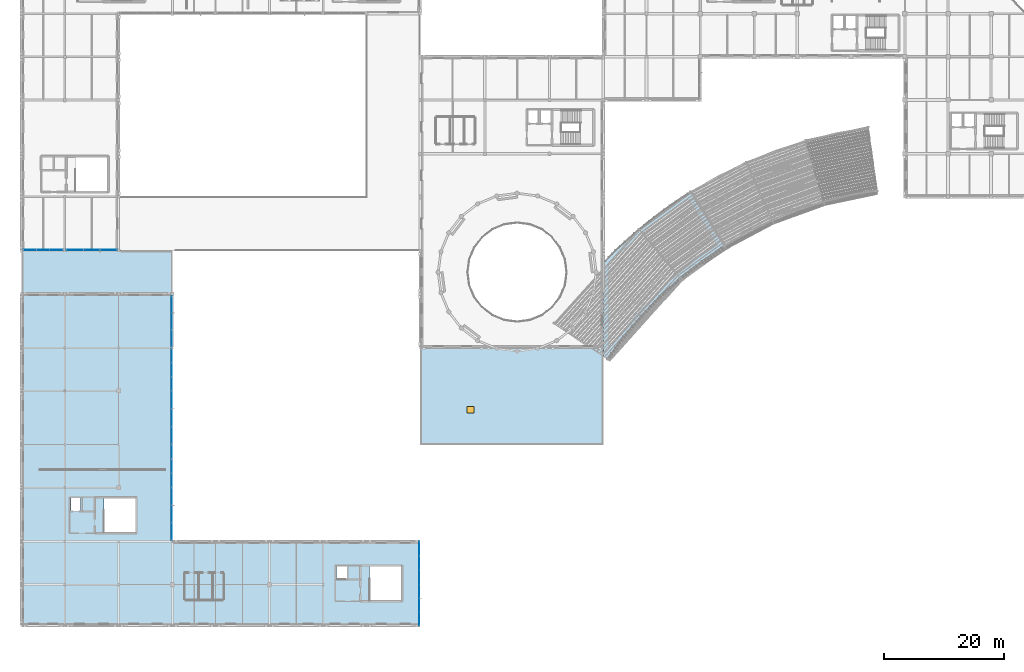
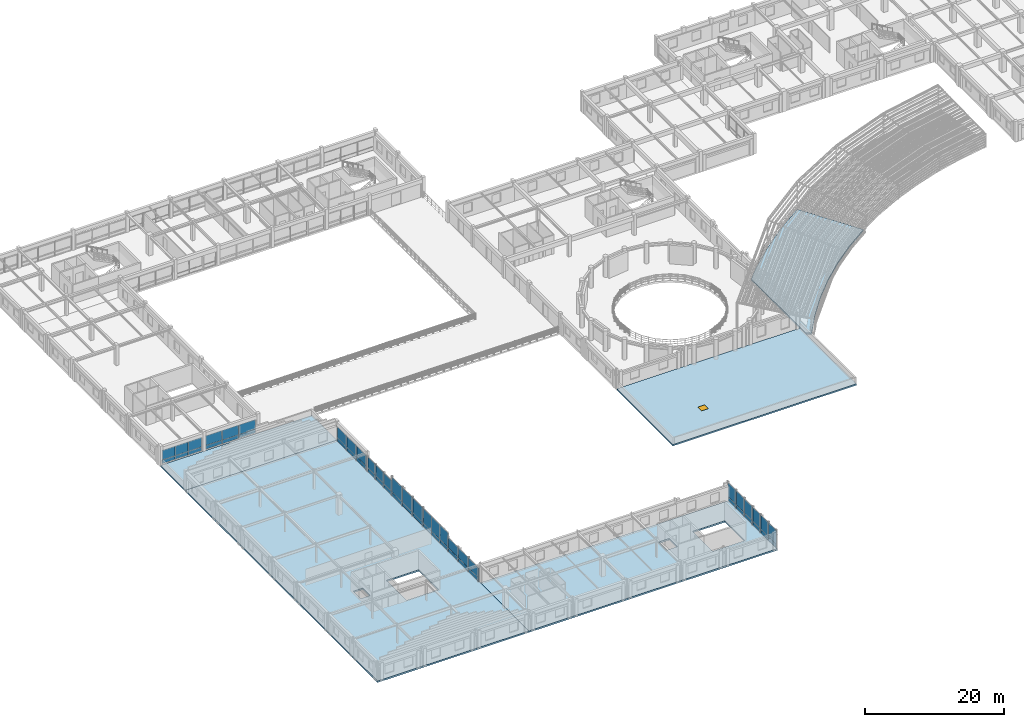
# One storey, part 40 of 74: 54 plates, 5 slabs, 1 window, 1 opening, 9 elements without a shape of their own.
"""IFC4 building model written with IfcOpenShell, lengths in metres."""

from ifc_helpers import new_model, si_unit, direction, frame, frame_2d, origin, origin_2d, place, context, subcontext, project, spatial, polyline, rectangle, outline, extrude, material, layer, layer_set, type_object, element, fill, aggregate, save


model = new_model("IFC4")

# Units and contexts
model_context = context("Model", 3, precision=1e-05, world=origin(), true_north=direction((0.0, 1.0)))
body_context = subcontext(model_context, "Body", "Model", "MODEL_VIEW")
ifc_project = project(units=[si_unit("LENGTHUNIT", "METRE"), si_unit("AREAUNIT", "SQUARE_METRE"), si_unit("VOLUMEUNIT", "CUBIC_METRE"), si_unit("PLANEANGLEUNIT", "RADIAN"), si_unit("MASSUNIT", "GRAM", prefix="KILO")], contexts=[model_context])

# Site, building, storey
site_placement = place(None, origin())
site = spatial("IfcSite", under=ifc_project, at=site_placement, CompositionType="ELEMENT")
building_placement = place(site_placement, origin())
building = spatial("IfcBuilding", under=site, at=building_placement, Name="Clarverna Civic Hall", CompositionType="ELEMENT")
storey_placement = place(building_placement, frame((0.0, 0.0, 13.199951171875)))
storey = spatial("IfcBuildingStorey", under=building, at=storey_placement, Name="L03", CompositionType="ELEMENT", Elevation=13.199951171875)

# Curtain wall, plates
ifc_material_1 = material(Name="Anodised Bronze Architectural Aluminium", Category="aluminium")
curtain_wall_type = type_object("IfcCurtainWallType", Name="CW-05", PredefinedType="USERDEFINED", material=ifc_material_1)
curtain_wall_1_placement = place(storey_placement, origin())
curtain_wall_1 = element("IfcCurtainWall", 1, at=curtain_wall_1_placement, inside=storey, type_object=curtain_wall_type, Name="CW-05-014", ObjectType="UNITISED CURTAIN WALL", PredefinedType="USERDEFINED")
ifc_material_2 = material(Name="Solar-Control Argon Low-E Double Glazing", Category="glass")
ifc_layer_1 = layer(ifc_material_2, 0.031982421875)
ifc_layer_set_1 = layer_set([ifc_layer_1], Name="Solar-Control Argon Low-E Double Glazing")
plate_type_1 = type_object("IfcPlateType", Name="CWP-01", PredefinedType="CURTAIN_PANEL", material=ifc_layer_set_1)
plate_1_placement = place(storey_placement, frame((15.862060546875, 62.739990234375, 0.76513671875), z_axis=(0.0, 0.0, 1.0), x_axis=(-1.0, 0.0, 0.0)))
plate_1 = element("IfcPlate", 2, at=plate_1_placement, type_object=plate_type_1, Name="CWP-01-457", PredefinedType="CURTAIN_PANEL", context=body_context, shape_type="SweptSolid", body=[
    extrude(rectangle(XDim=2.754638671875, YDim=0.031982421875, at=frame_2d((1.37744140625, 0.0))), origin(), (0.0, 0.0, 1.0), 1.704833984375),
])
plate_2_placement = place(storey_placement, frame((13.077392578125, 62.739990234375, 0.76513671875), z_axis=(0.0, 0.0, 1.0), x_axis=(-1.0, 0.0, 0.0)))
plate_2 = element("IfcPlate", 3, at=plate_2_placement, type_object=plate_type_1, Name="CWP-01-458", PredefinedType="CURTAIN_PANEL", context=body_context, shape_type="SweptSolid", body=[
    extrude(rectangle(XDim=2.754638671875, YDim=0.031982421875, at=frame_2d((1.37744140625, 0.0))), origin(), (0.0, 0.0, 1.0), 1.704833984375),
])
plate_3_placement = place(storey_placement, frame((10.292724609375, 62.739990234375, 0.76513671875), z_axis=(0.0, 0.0, 1.0), x_axis=(-1.0, 0.0, 0.0)))
plate_3 = element("IfcPlate", 4, at=plate_3_placement, type_object=plate_type_1, Name="CWP-01-459", PredefinedType="CURTAIN_PANEL", context=body_context, shape_type="SweptSolid", body=[
    extrude(rectangle(XDim=2.754638671875, YDim=0.031982421875, at=frame_2d((1.37744140625, 0.0))), origin(), (0.0, 0.0, 1.0), 1.704833984375),
])

curtain_wall_2_placement = place(storey_placement, origin())
curtain_wall_2 = element("IfcCurtainWall", 5, at=curtain_wall_2_placement, inside=storey, type_object=curtain_wall_type, Name="CW-05-015", ObjectType="UNITISED CURTAIN WALL", PredefinedType="USERDEFINED")
plate_4_placement = place(storey_placement, frame((6.862060546875, 62.739990234375, 0.76513671875), z_axis=(0.0, 0.0, 1.0), x_axis=(-1.0, 0.0, 0.0)))
plate_4 = element("IfcPlate", 6, at=plate_4_placement, type_object=plate_type_1, Name="CWP-01-460", PredefinedType="CURTAIN_PANEL", context=body_context, shape_type="SweptSolid", body=[
    extrude(rectangle(XDim=2.1630859375, YDim=0.031982421875, at=frame_2d((1.08154296875, 0.0))), origin(), (0.0, 0.0, 1.0), 1.704833984375),
])
plate_5_placement = place(storey_placement, frame((4.6689453125, 62.739990234375, 0.76513671875), z_axis=(0.0, 0.0, 1.0), x_axis=(-1.0, 0.0, 0.0)))
plate_5 = element("IfcPlate", 7, at=plate_5_placement, type_object=plate_type_1, Name="CWP-01-461", PredefinedType="CURTAIN_PANEL", context=body_context, shape_type="SweptSolid", body=[
    extrude(rectangle(XDim=2.162841796875, YDim=0.031982421875, at=frame_2d((1.08154296875, 0.0))), origin(), (0.0, 0.0, 1.0), 1.704833984375),
])
plate_6_placement = place(storey_placement, frame((2.47607421875, 62.739990234375, 0.76513671875), z_axis=(0.0, 0.0, 1.0), x_axis=(-1.0, 0.0, 0.0)))
plate_6 = element("IfcPlate", 8, at=plate_6_placement, type_object=plate_type_1, Name="CWP-01-462", PredefinedType="CURTAIN_PANEL", context=body_context, shape_type="SweptSolid", body=[
    extrude(rectangle(XDim=2.1630859375, YDim=0.031982421875, at=frame_2d((1.08154296875, 0.0))), origin(), (0.0, 0.0, 1.0), 1.704833984375),
])

curtain_wall_3_placement = place(storey_placement, origin())
curtain_wall_3 = element("IfcCurtainWall", 9, at=curtain_wall_3_placement, inside=storey, type_object=curtain_wall_type, Name="CW-05-016", ObjectType="UNITISED CURTAIN WALL", PredefinedType="USERDEFINED")
plate_7_placement = place(storey_placement, frame((25.06005859375, 54.987060546875, 0.76513671875), z_axis=(0.0, 0.0, 1.0), x_axis=(0.0, -1.0, 0.0)))
plate_7 = element("IfcPlate", 10, at=plate_7_placement, type_object=plate_type_1, Name="CWP-01-463", PredefinedType="CURTAIN_PANEL", context=body_context, shape_type="SweptSolid", body=[
    extrude(rectangle(XDim=2.769775390625, YDim=0.031982421875, at=frame_2d((1.384765625, 0.0))), origin(), (0.0, 0.0, 1.0), 1.885009765625),
])
plate_8_placement = place(storey_placement, frame((25.06005859375, 52.187255859375, 0.76513671875), z_axis=(0.0, 0.0, 1.0), x_axis=(0.0, -1.0, 0.0)))
plate_8 = element("IfcPlate", 11, at=plate_8_placement, type_object=plate_type_1, Name="CWP-01-464", PredefinedType="CURTAIN_PANEL", context=body_context, shape_type="SweptSolid", body=[
    extrude(rectangle(XDim=2.76953125, YDim=0.031982421875, at=frame_2d((1.384765625, 0.0))), origin(), (0.0, 0.0, 1.0), 1.885009765625),
])
plate_9_placement = place(storey_placement, frame((25.06005859375, 49.3876953125, 0.76513671875), z_axis=(0.0, 0.0, 1.0), x_axis=(0.0, -1.0, 0.0)))
plate_9 = element("IfcPlate", 12, at=plate_9_placement, type_object=plate_type_1, Name="CWP-01-465", PredefinedType="CURTAIN_PANEL", context=body_context, shape_type="SweptSolid", body=[
    extrude(rectangle(XDim=2.769775390625, YDim=0.031982421875, at=frame_2d((1.384765625, 0.0))), origin(), (0.0, 0.0, 1.0), 1.885009765625),
])

curtain_wall_4_placement = place(storey_placement, origin())
curtain_wall_4 = element("IfcCurtainWall", 13, at=curtain_wall_4_placement, inside=storey, type_object=curtain_wall_type, Name="CW-05-017", ObjectType="UNITISED CURTAIN WALL", PredefinedType="USERDEFINED")
plate_10_placement = place(storey_placement, frame((25.06005859375, 46.181884765625, 0.76513671875), z_axis=(0.0, 0.0, 1.0), x_axis=(0.0, -1.0, 0.0)))
plate_10 = element("IfcPlate", 14, at=plate_10_placement, type_object=plate_type_1, Name="CWP-01-466", PredefinedType="CURTAIN_PANEL", context=body_context, shape_type="SweptSolid", body=[
    extrude(rectangle(XDim=2.291259765625, YDim=0.031982421875, at=frame_2d((1.1455078125, 0.0))), origin(), (0.0, 0.0, 1.0), 1.885009765625),
])
plate_11_placement = place(storey_placement, frame((25.06005859375, 43.860595703125, 0.76513671875), z_axis=(0.0, 0.0, 1.0), x_axis=(0.0, -1.0, 0.0)))
plate_11 = element("IfcPlate", 15, at=plate_11_placement, type_object=plate_type_1, Name="CWP-01-467", PredefinedType="CURTAIN_PANEL", context=body_context, shape_type="SweptSolid", body=[
    extrude(rectangle(XDim=2.291259765625, YDim=0.031982421875, at=frame_2d((1.1455078125, 0.0))), origin(), (0.0, 0.0, 1.0), 1.885009765625),
])
plate_12_placement = place(storey_placement, frame((25.06005859375, 41.539306640625, 0.76513671875), z_axis=(0.0, 0.0, 1.0), x_axis=(0.0, -1.0, 0.0)))
plate_12 = element("IfcPlate", 16, at=plate_12_placement, type_object=plate_type_1, Name="CWP-01-468", PredefinedType="CURTAIN_PANEL", context=body_context, shape_type="SweptSolid", body=[
    extrude(rectangle(XDim=2.291259765625, YDim=0.031982421875, at=frame_2d((1.1455078125, 0.0))), origin(), (0.0, 0.0, 1.0), 1.885009765625),
])

curtain_wall_5_placement = place(storey_placement, origin())
curtain_wall_5 = element("IfcCurtainWall", 17, at=curtain_wall_5_placement, inside=storey, type_object=curtain_wall_type, Name="CW-05-018", ObjectType="UNITISED CURTAIN WALL", PredefinedType="USERDEFINED")
plate_13_placement = place(storey_placement, frame((25.06005859375, 39.152099609375, 0.76513671875), z_axis=(0.0, 0.0, 1.0), x_axis=(0.0, -1.0, 0.0)))
plate_13 = element("IfcPlate", 18, at=plate_13_placement, type_object=plate_type_1, Name="CWP-01-469", PredefinedType="CURTAIN_PANEL", context=body_context, shape_type="SweptSolid", body=[
    extrude(rectangle(XDim=2.947998046875, YDim=0.031982421875, at=frame_2d((1.47412109375, 0.0))), origin(), (0.0, 0.0, 1.0), 2.56494140625),
])
plate_14_placement = place(storey_placement, frame((25.06005859375, 36.174072265625, 0.76513671875), z_axis=(0.0, 0.0, 1.0), x_axis=(0.0, -1.0, 0.0)))
plate_14 = element("IfcPlate", 19, at=plate_14_placement, type_object=plate_type_1, Name="CWP-01-470", PredefinedType="CURTAIN_PANEL", context=body_context, shape_type="SweptSolid", body=[
    extrude(rectangle(XDim=2.947998046875, YDim=0.031982421875, at=frame_2d((1.47412109375, 0.0))), origin(), (0.0, 0.0, 1.0), 2.56494140625),
])
plate_15_placement = place(storey_placement, frame((25.06005859375, 33.196044921875, 0.76513671875), z_axis=(0.0, 0.0, 1.0), x_axis=(0.0, -1.0, 0.0)))
plate_15 = element("IfcPlate", 20, at=plate_15_placement, type_object=plate_type_1, Name="CWP-01-471", PredefinedType="CURTAIN_PANEL", context=body_context, shape_type="SweptSolid", body=[
    extrude(rectangle(XDim=2.947998046875, YDim=0.031982421875, at=frame_2d((1.47412109375, 0.0))), origin(), (0.0, 0.0, 1.0), 2.56494140625),
])

curtain_wall_6_placement = place(storey_placement, origin())
curtain_wall_6 = element("IfcCurtainWall", 21, at=curtain_wall_6_placement, inside=storey, type_object=curtain_wall_type, Name="CW-05-019", ObjectType="UNITISED CURTAIN WALL", PredefinedType="USERDEFINED")
plate_16_placement = place(storey_placement, frame((25.06005859375, 30.152099609375, 0.76513671875), z_axis=(0.0, 0.0, 1.0), x_axis=(0.0, -1.0, 0.0)))
plate_16 = element("IfcPlate", 22, at=plate_16_placement, type_object=plate_type_1, Name="CWP-01-472", PredefinedType="CURTAIN_PANEL", context=body_context, shape_type="SweptSolid", body=[
    extrude(rectangle(XDim=2.34814453125, YDim=0.031982421875, at=frame_2d((1.174072265625, 0.0))), origin(), (0.0, 0.0, 1.0), 2.56494140625),
])
plate_17_placement = place(storey_placement, frame((25.06005859375, 27.77392578125, 0.76513671875), z_axis=(0.0, 0.0, 1.0), x_axis=(0.0, -1.0, 0.0)))
plate_17 = element("IfcPlate", 23, at=plate_17_placement, type_object=plate_type_1, Name="CWP-01-473", PredefinedType="CURTAIN_PANEL", context=body_context, shape_type="SweptSolid", body=[
    extrude(rectangle(XDim=2.347900390625, YDim=0.031982421875, at=frame_2d((1.173828125, 0.0))), origin(), (0.0, 0.0, 1.0), 2.56494140625),
])
plate_18_placement = place(storey_placement, frame((25.06005859375, 25.39599609375, 0.76513671875), z_axis=(0.0, 0.0, 1.0), x_axis=(0.0, -1.0, 0.0)))
plate_18 = element("IfcPlate", 24, at=plate_18_placement, type_object=plate_type_1, Name="CWP-01-474", PredefinedType="CURTAIN_PANEL", context=body_context, shape_type="SweptSolid", body=[
    extrude(rectangle(XDim=2.347900390625, YDim=0.031982421875, at=frame_2d((1.173828125, 0.0))), origin(), (0.0, 0.0, 1.0), 2.56494140625),
])

curtain_wall_7_placement = place(storey_placement, origin())
curtain_wall_7 = element("IfcCurtainWall", 25, at=curtain_wall_7_placement, inside=storey, type_object=curtain_wall_type, Name="CW-05-020", ObjectType="UNITISED CURTAIN WALL", PredefinedType="USERDEFINED")
plate_19_placement = place(storey_placement, frame((25.06005859375, 22.951904296875, 0.76513671875), z_axis=(0.0, 0.0, 1.0), x_axis=(0.0, -1.0, 0.0)))
plate_19 = element("IfcPlate", 26, at=plate_19_placement, type_object=plate_type_1, Name="CWP-01-475", PredefinedType="CURTAIN_PANEL", context=body_context, shape_type="SweptSolid", body=[
    extrude(rectangle(XDim=2.887939453125, YDim=0.031982421875, at=frame_2d((1.44384765625, 0.0))), origin(), (0.0, 0.0, 1.0), 1.744873046875),
])
plate_20_placement = place(storey_placement, frame((25.06005859375, 20.033935546875, 0.76513671875), z_axis=(0.0, 0.0, 1.0), x_axis=(0.0, -1.0, 0.0)))
plate_20 = element("IfcPlate", 27, at=plate_20_placement, type_object=plate_type_1, Name="CWP-01-476", PredefinedType="CURTAIN_PANEL", context=body_context, shape_type="SweptSolid", body=[
    extrude(rectangle(XDim=2.887939453125, YDim=0.031982421875, at=frame_2d((1.44384765625, 0.0))), origin(), (0.0, 0.0, 1.0), 1.744873046875),
])
plate_21_placement = place(storey_placement, frame((25.06005859375, 17.115966796875, 0.76513671875), z_axis=(0.0, 0.0, 1.0), x_axis=(0.0, -1.0, 0.0)))
plate_21 = element("IfcPlate", 28, at=plate_21_placement, type_object=plate_type_1, Name="CWP-01-477", PredefinedType="CURTAIN_PANEL", context=body_context, shape_type="SweptSolid", body=[
    extrude(rectangle(XDim=2.887939453125, YDim=0.031982421875, at=frame_2d((1.44384765625, 0.0))), origin(), (0.0, 0.0, 1.0), 1.744873046875),
])

curtain_wall_8_placement = place(storey_placement, origin())
curtain_wall_8 = element("IfcCurtainWall", 29, at=curtain_wall_8_placement, inside=storey, type_object=curtain_wall_type, Name="CW-05-021", ObjectType="UNITISED CURTAIN WALL", PredefinedType="USERDEFINED")
plate_22_placement = place(storey_placement, frame((66.43505859375, 13.951904296875, 0.76513671875), z_axis=(0.0, 0.0, 1.0), x_axis=(0.0, -1.0, 0.0)))
plate_22 = element("IfcPlate", 30, at=plate_22_placement, type_object=plate_type_1, Name="CWP-01-478", PredefinedType="CURTAIN_PANEL", context=body_context, shape_type="SweptSolid", body=[
    extrude(rectangle(XDim=2.347900390625, YDim=0.031982421875, at=frame_2d((1.173828125, 0.0))), origin(), (0.0, 0.0, 1.0), 2.46484375),
])
plate_23_placement = place(storey_placement, frame((66.43505859375, 11.573974609375, 0.76513671875), z_axis=(0.0, 0.0, 1.0), x_axis=(0.0, -1.0, 0.0)))
plate_23 = element("IfcPlate", 31, at=plate_23_placement, type_object=plate_type_1, Name="CWP-01-479", PredefinedType="CURTAIN_PANEL", context=body_context, shape_type="SweptSolid", body=[
    extrude(rectangle(XDim=2.347900390625, YDim=0.031982421875, at=frame_2d((1.173828125, 0.0))), origin(), (0.0, 0.0, 1.0), 2.46484375),
])
plate_24_placement = place(storey_placement, frame((66.43505859375, 9.196044921875, 0.76513671875), z_axis=(0.0, 0.0, 1.0), x_axis=(0.0, -1.0, 0.0)))
plate_24 = element("IfcPlate", 32, at=plate_24_placement, type_object=plate_type_1, Name="CWP-01-480", PredefinedType="CURTAIN_PANEL", context=body_context, shape_type="SweptSolid", body=[
    extrude(rectangle(XDim=2.34814453125, YDim=0.031982421875, at=frame_2d((1.174072265625, 0.0))), origin(), (0.0, 0.0, 1.0), 2.46484375),
])

curtain_wall_9_placement = place(storey_placement, origin())
curtain_wall_9 = element("IfcCurtainWall", 33, at=curtain_wall_9_placement, inside=storey, type_object=curtain_wall_type, Name="CW-05-022", ObjectType="UNITISED CURTAIN WALL", PredefinedType="USERDEFINED")
plate_25_placement = place(storey_placement, frame((66.43505859375, 6.751953125, 0.76513671875), z_axis=(0.0, 0.0, 1.0), x_axis=(0.0, -1.0, 0.0)))
plate_25 = element("IfcPlate", 34, at=plate_25_placement, type_object=plate_type_1, Name="CWP-01-481", PredefinedType="CURTAIN_PANEL", context=body_context, shape_type="SweptSolid", body=[
    extrude(rectangle(XDim=2.214599609375, YDim=0.031982421875, at=frame_2d((1.107421875, 0.0))), origin(), (0.0, 0.0, 1.0), 2.46484375),
])
plate_26_placement = place(storey_placement, frame((66.43505859375, 4.50732421875, 0.76513671875), z_axis=(0.0, 0.0, 1.0), x_axis=(0.0, -1.0, 0.0)))
plate_26 = element("IfcPlate", 35, at=plate_26_placement, type_object=plate_type_1, Name="CWP-01-482", PredefinedType="CURTAIN_PANEL", context=body_context, shape_type="SweptSolid", body=[
    extrude(rectangle(XDim=2.214599609375, YDim=0.031982421875, at=frame_2d((1.107421875, 0.0))), origin(), (0.0, 0.0, 1.0), 2.46484375),
])
plate_27_placement = place(storey_placement, frame((66.43505859375, 2.2626953125, 0.76513671875), z_axis=(0.0, 0.0, 1.0), x_axis=(0.0, -1.0, 0.0)))
plate_27 = element("IfcPlate", 36, at=plate_27_placement, type_object=plate_type_1, Name="CWP-01-483", PredefinedType="CURTAIN_PANEL", context=body_context, shape_type="SweptSolid", body=[
    extrude(rectangle(XDim=2.214599609375, YDim=0.031982421875, at=frame_2d((1.107421875, 0.0))), origin(), (0.0, 0.0, 1.0), 2.46484375),
])

# Plate
ifc_material_3 = material(Name="Insulated Anodised Bronze Spandrel Panel", Category="aluminium")
ifc_layer_2 = layer(ifc_material_3, 0.048095703125)
ifc_layer_set_2 = layer_set([ifc_layer_2], Name="Insulated Anodised Bronze Spandrel Panel")
plate_type_2 = type_object("IfcPlateType", Name="CWP-03", PredefinedType="CURTAIN_PANEL", material=ifc_layer_set_2)
plate_28_placement = place(storey_placement, frame((15.862060546875, 62.739990234375, 0.110107421875), z_axis=(0.0, 0.0, 1.0), x_axis=(-1.0, 0.0, 0.0)))
plate_28 = element("IfcPlate", 37, at=plate_28_placement, type_object=plate_type_2, Name="CWP-03-459", PredefinedType="CURTAIN_PANEL", context=body_context, shape_type="SweptSolid", body=[
    extrude(rectangle(XDim=2.754638671875, YDim=0.048095703125, at=frame_2d((1.37744140625, 0.0))), origin(), (0.0, 0.0, 1.0), 0.625),
])

plate_29_placement = place(storey_placement, frame((13.077392578125, 62.739990234375, 0.110107421875), z_axis=(0.0, 0.0, 1.0), x_axis=(-1.0, 0.0, 0.0)))
plate_29 = element("IfcPlate", 38, at=plate_29_placement, type_object=plate_type_2, Name="CWP-03-460", PredefinedType="CURTAIN_PANEL", context=body_context, shape_type="SweptSolid", body=[
    extrude(rectangle(XDim=2.754638671875, YDim=0.048095703125, at=frame_2d((1.37744140625, 0.0))), origin(), (0.0, 0.0, 1.0), 0.625),
])

plate_30_placement = place(storey_placement, frame((10.292724609375, 62.739990234375, 0.110107421875), z_axis=(0.0, 0.0, 1.0), x_axis=(-1.0, 0.0, 0.0)))
plate_30 = element("IfcPlate", 39, at=plate_30_placement, type_object=plate_type_2, Name="CWP-03-461", PredefinedType="CURTAIN_PANEL", context=body_context, shape_type="SweptSolid", body=[
    extrude(rectangle(XDim=2.754638671875, YDim=0.048095703125, at=frame_2d((1.37744140625, 0.0))), origin(), (0.0, 0.0, 1.0), 0.625),
])

aggregate(curtain_wall_1, [plate_28, plate_1, plate_29, plate_2, plate_30, plate_3])

plate_31_placement = place(storey_placement, frame((6.862060546875, 62.739990234375, 0.110107421875), z_axis=(0.0, 0.0, 1.0), x_axis=(-1.0, 0.0, 0.0)))
plate_31 = element("IfcPlate", 40, at=plate_31_placement, type_object=plate_type_2, Name="CWP-03-462", PredefinedType="CURTAIN_PANEL", context=body_context, shape_type="SweptSolid", body=[
    extrude(rectangle(XDim=2.1630859375, YDim=0.048095703125, at=frame_2d((1.08154296875, 0.0))), origin(), (0.0, 0.0, 1.0), 0.625),
])

plate_32_placement = place(storey_placement, frame((4.6689453125, 62.739990234375, 0.110107421875), z_axis=(0.0, 0.0, 1.0), x_axis=(-1.0, 0.0, 0.0)))
plate_32 = element("IfcPlate", 41, at=plate_32_placement, type_object=plate_type_2, Name="CWP-03-463", PredefinedType="CURTAIN_PANEL", context=body_context, shape_type="SweptSolid", body=[
    extrude(rectangle(XDim=2.162841796875, YDim=0.048095703125, at=frame_2d((1.08154296875, 0.0))), origin(), (0.0, 0.0, 1.0), 0.625),
])

plate_33_placement = place(storey_placement, frame((2.47607421875, 62.739990234375, 0.110107421875), z_axis=(0.0, 0.0, 1.0), x_axis=(-1.0, 0.0, 0.0)))
plate_33 = element("IfcPlate", 42, at=plate_33_placement, type_object=plate_type_2, Name="CWP-03-464", PredefinedType="CURTAIN_PANEL", context=body_context, shape_type="SweptSolid", body=[
    extrude(rectangle(XDim=2.1630859375, YDim=0.048095703125, at=frame_2d((1.08154296875, 0.0))), origin(), (0.0, 0.0, 1.0), 0.625),
])

aggregate(curtain_wall_2, [plate_31, plate_4, plate_32, plate_5, plate_33, plate_6])

plate_34_placement = place(storey_placement, frame((25.06005859375, 54.987060546875, 0.110107421875), z_axis=(0.0, 0.0, 1.0), x_axis=(0.0, -1.0, 0.0)))
plate_34 = element("IfcPlate", 43, at=plate_34_placement, type_object=plate_type_2, Name="CWP-03-465", PredefinedType="CURTAIN_PANEL", context=body_context, shape_type="SweptSolid", body=[
    extrude(rectangle(XDim=2.769775390625, YDim=0.048095703125, at=frame_2d((1.384765625, 0.0))), origin(), (0.0, 0.0, 1.0), 0.625),
])

plate_35_placement = place(storey_placement, frame((25.06005859375, 52.187255859375, 0.110107421875), z_axis=(0.0, 0.0, 1.0), x_axis=(0.0, -1.0, 0.0)))
plate_35 = element("IfcPlate", 44, at=plate_35_placement, type_object=plate_type_2, Name="CWP-03-466", PredefinedType="CURTAIN_PANEL", context=body_context, shape_type="SweptSolid", body=[
    extrude(rectangle(XDim=2.76953125, YDim=0.048095703125, at=frame_2d((1.384765625, 0.0))), origin(), (0.0, 0.0, 1.0), 0.625),
])

plate_36_placement = place(storey_placement, frame((25.06005859375, 49.3876953125, 0.110107421875), z_axis=(0.0, 0.0, 1.0), x_axis=(0.0, -1.0, 0.0)))
plate_36 = element("IfcPlate", 45, at=plate_36_placement, type_object=plate_type_2, Name="CWP-03-467", PredefinedType="CURTAIN_PANEL", context=body_context, shape_type="SweptSolid", body=[
    extrude(rectangle(XDim=2.769775390625, YDim=0.048095703125, at=frame_2d((1.384765625, 0.0))), origin(), (0.0, 0.0, 1.0), 0.625),
])

aggregate(curtain_wall_3, [plate_34, plate_7, plate_35, plate_8, plate_36, plate_9])

plate_37_placement = place(storey_placement, frame((25.06005859375, 46.181884765625, 0.110107421875), z_axis=(0.0, 0.0, 1.0), x_axis=(0.0, -1.0, 0.0)))
plate_37 = element("IfcPlate", 46, at=plate_37_placement, type_object=plate_type_2, Name="CWP-03-468", PredefinedType="CURTAIN_PANEL", context=body_context, shape_type="SweptSolid", body=[
    extrude(rectangle(XDim=2.291259765625, YDim=0.048095703125, at=frame_2d((1.1455078125, 0.0))), origin(), (0.0, 0.0, 1.0), 0.625),
])

plate_38_placement = place(storey_placement, frame((25.06005859375, 43.860595703125, 0.110107421875), z_axis=(0.0, 0.0, 1.0), x_axis=(0.0, -1.0, 0.0)))
plate_38 = element("IfcPlate", 47, at=plate_38_placement, type_object=plate_type_2, Name="CWP-03-469", PredefinedType="CURTAIN_PANEL", context=body_context, shape_type="SweptSolid", body=[
    extrude(rectangle(XDim=2.291259765625, YDim=0.048095703125, at=frame_2d((1.1455078125, 0.0))), origin(), (0.0, 0.0, 1.0), 0.625),
])

plate_39_placement = place(storey_placement, frame((25.06005859375, 41.539306640625, 0.110107421875), z_axis=(0.0, 0.0, 1.0), x_axis=(0.0, -1.0, 0.0)))
plate_39 = element("IfcPlate", 48, at=plate_39_placement, type_object=plate_type_2, Name="CWP-03-470", PredefinedType="CURTAIN_PANEL", context=body_context, shape_type="SweptSolid", body=[
    extrude(rectangle(XDim=2.291259765625, YDim=0.048095703125, at=frame_2d((1.1455078125, 0.0))), origin(), (0.0, 0.0, 1.0), 0.625),
])

aggregate(curtain_wall_4, [plate_37, plate_10, plate_38, plate_11, plate_39, plate_12])

plate_40_placement = place(storey_placement, frame((25.06005859375, 39.152099609375, 0.110107421875), z_axis=(0.0, 0.0, 1.0), x_axis=(0.0, -1.0, 0.0)))
plate_40 = element("IfcPlate", 49, at=plate_40_placement, type_object=plate_type_2, Name="CWP-03-471", PredefinedType="CURTAIN_PANEL", context=body_context, shape_type="SweptSolid", body=[
    extrude(rectangle(XDim=2.947998046875, YDim=0.048095703125, at=frame_2d((1.47412109375, 0.0))), origin(), (0.0, 0.0, 1.0), 0.625),
])

plate_41_placement = place(storey_placement, frame((25.06005859375, 36.174072265625, 0.110107421875), z_axis=(0.0, 0.0, 1.0), x_axis=(0.0, -1.0, 0.0)))
plate_41 = element("IfcPlate", 50, at=plate_41_placement, type_object=plate_type_2, Name="CWP-03-472", PredefinedType="CURTAIN_PANEL", context=body_context, shape_type="SweptSolid", body=[
    extrude(rectangle(XDim=2.947998046875, YDim=0.048095703125, at=frame_2d((1.47412109375, 0.0))), origin(), (0.0, 0.0, 1.0), 0.625),
])

plate_42_placement = place(storey_placement, frame((25.06005859375, 33.196044921875, 0.110107421875), z_axis=(0.0, 0.0, 1.0), x_axis=(0.0, -1.0, 0.0)))
plate_42 = element("IfcPlate", 51, at=plate_42_placement, type_object=plate_type_2, Name="CWP-03-473", PredefinedType="CURTAIN_PANEL", context=body_context, shape_type="SweptSolid", body=[
    extrude(rectangle(XDim=2.947998046875, YDim=0.048095703125, at=frame_2d((1.47412109375, 0.0))), origin(), (0.0, 0.0, 1.0), 0.625),
])

aggregate(curtain_wall_5, [plate_40, plate_13, plate_41, plate_14, plate_42, plate_15])

plate_43_placement = place(storey_placement, frame((25.06005859375, 30.152099609375, 0.110107421875), z_axis=(0.0, 0.0, 1.0), x_axis=(0.0, -1.0, 0.0)))
plate_43 = element("IfcPlate", 52, at=plate_43_placement, type_object=plate_type_2, Name="CWP-03-474", PredefinedType="CURTAIN_PANEL", context=body_context, shape_type="SweptSolid", body=[
    extrude(rectangle(XDim=2.34814453125, YDim=0.048095703125, at=frame_2d((1.174072265625, 0.0))), origin(), (0.0, 0.0, 1.0), 0.625),
])

plate_44_placement = place(storey_placement, frame((25.06005859375, 27.77392578125, 0.110107421875), z_axis=(0.0, 0.0, 1.0), x_axis=(0.0, -1.0, 0.0)))
plate_44 = element("IfcPlate", 53, at=plate_44_placement, type_object=plate_type_2, Name="CWP-03-475", PredefinedType="CURTAIN_PANEL", context=body_context, shape_type="SweptSolid", body=[
    extrude(rectangle(XDim=2.347900390625, YDim=0.048095703125, at=frame_2d((1.173828125, 0.0))), origin(), (0.0, 0.0, 1.0), 0.625),
])

plate_45_placement = place(storey_placement, frame((25.06005859375, 25.39599609375, 0.110107421875), z_axis=(0.0, 0.0, 1.0), x_axis=(0.0, -1.0, 0.0)))
plate_45 = element("IfcPlate", 54, at=plate_45_placement, type_object=plate_type_2, Name="CWP-03-476", PredefinedType="CURTAIN_PANEL", context=body_context, shape_type="SweptSolid", body=[
    extrude(rectangle(XDim=2.347900390625, YDim=0.048095703125, at=frame_2d((1.173828125, 0.0))), origin(), (0.0, 0.0, 1.0), 0.625),
])

aggregate(curtain_wall_6, [plate_43, plate_16, plate_44, plate_17, plate_45, plate_18])

plate_46_placement = place(storey_placement, frame((25.06005859375, 22.951904296875, 0.110107421875), z_axis=(0.0, 0.0, 1.0), x_axis=(0.0, -1.0, 0.0)))
plate_46 = element("IfcPlate", 55, at=plate_46_placement, type_object=plate_type_2, Name="CWP-03-477", PredefinedType="CURTAIN_PANEL", context=body_context, shape_type="SweptSolid", body=[
    extrude(rectangle(XDim=2.887939453125, YDim=0.048095703125, at=frame_2d((1.44384765625, 0.0))), origin(), (0.0, 0.0, 1.0), 0.625),
])

plate_47_placement = place(storey_placement, frame((25.06005859375, 20.033935546875, 0.110107421875), z_axis=(0.0, 0.0, 1.0), x_axis=(0.0, -1.0, 0.0)))
plate_47 = element("IfcPlate", 56, at=plate_47_placement, type_object=plate_type_2, Name="CWP-03-478", PredefinedType="CURTAIN_PANEL", context=body_context, shape_type="SweptSolid", body=[
    extrude(rectangle(XDim=2.887939453125, YDim=0.048095703125, at=frame_2d((1.44384765625, 0.0))), origin(), (0.0, 0.0, 1.0), 0.625),
])

plate_48_placement = place(storey_placement, frame((25.06005859375, 17.115966796875, 0.110107421875), z_axis=(0.0, 0.0, 1.0), x_axis=(0.0, -1.0, 0.0)))
plate_48 = element("IfcPlate", 57, at=plate_48_placement, type_object=plate_type_2, Name="CWP-03-479", PredefinedType="CURTAIN_PANEL", context=body_context, shape_type="SweptSolid", body=[
    extrude(rectangle(XDim=2.887939453125, YDim=0.048095703125, at=frame_2d((1.44384765625, 0.0))), origin(), (0.0, 0.0, 1.0), 0.625),
])

aggregate(curtain_wall_7, [plate_46, plate_19, plate_47, plate_20, plate_48, plate_21])

plate_49_placement = place(storey_placement, frame((66.43505859375, 13.951904296875, 0.110107421875), z_axis=(0.0, 0.0, 1.0), x_axis=(0.0, -1.0, 0.0)))
plate_49 = element("IfcPlate", 58, at=plate_49_placement, type_object=plate_type_2, Name="CWP-03-480", PredefinedType="CURTAIN_PANEL", context=body_context, shape_type="SweptSolid", body=[
    extrude(rectangle(XDim=2.347900390625, YDim=0.048095703125, at=frame_2d((1.173828125, 0.0))), origin(), (0.0, 0.0, 1.0), 0.625),
])

plate_50_placement = place(storey_placement, frame((66.43505859375, 11.573974609375, 0.110107421875), z_axis=(0.0, 0.0, 1.0), x_axis=(0.0, -1.0, 0.0)))
plate_50 = element("IfcPlate", 59, at=plate_50_placement, type_object=plate_type_2, Name="CWP-03-481", PredefinedType="CURTAIN_PANEL", context=body_context, shape_type="SweptSolid", body=[
    extrude(rectangle(XDim=2.347900390625, YDim=0.048095703125, at=frame_2d((1.173828125, 0.0))), origin(), (0.0, 0.0, 1.0), 0.625),
])

plate_51_placement = place(storey_placement, frame((66.43505859375, 9.196044921875, 0.110107421875), z_axis=(0.0, 0.0, 1.0), x_axis=(0.0, -1.0, 0.0)))
plate_51 = element("IfcPlate", 60, at=plate_51_placement, type_object=plate_type_2, Name="CWP-03-482", PredefinedType="CURTAIN_PANEL", context=body_context, shape_type="SweptSolid", body=[
    extrude(rectangle(XDim=2.34814453125, YDim=0.048095703125, at=frame_2d((1.174072265625, 0.0))), origin(), (0.0, 0.0, 1.0), 0.625),
])

aggregate(curtain_wall_8, [plate_49, plate_22, plate_50, plate_23, plate_51, plate_24])

plate_52_placement = place(storey_placement, frame((66.43505859375, 6.751953125, 0.110107421875), z_axis=(0.0, 0.0, 1.0), x_axis=(0.0, -1.0, 0.0)))
plate_52 = element("IfcPlate", 61, at=plate_52_placement, type_object=plate_type_2, Name="CWP-03-483", PredefinedType="CURTAIN_PANEL", context=body_context, shape_type="SweptSolid", body=[
    extrude(rectangle(XDim=2.214599609375, YDim=0.048095703125, at=frame_2d((1.107421875, 0.0))), origin(), (0.0, 0.0, 1.0), 0.625),
])

plate_53_placement = place(storey_placement, frame((66.43505859375, 4.50732421875, 0.110107421875), z_axis=(0.0, 0.0, 1.0), x_axis=(0.0, -1.0, 0.0)))
plate_53 = element("IfcPlate", 62, at=plate_53_placement, type_object=plate_type_2, Name="CWP-03-484", PredefinedType="CURTAIN_PANEL", context=body_context, shape_type="SweptSolid", body=[
    extrude(rectangle(XDim=2.214599609375, YDim=0.048095703125, at=frame_2d((1.107421875, 0.0))), origin(), (0.0, 0.0, 1.0), 0.625),
])

plate_54_placement = place(storey_placement, frame((66.43505859375, 2.2626953125, 0.110107421875), z_axis=(0.0, 0.0, 1.0), x_axis=(0.0, -1.0, 0.0)))
plate_54 = element("IfcPlate", 63, at=plate_54_placement, type_object=plate_type_2, Name="CWP-03-485", PredefinedType="CURTAIN_PANEL", context=body_context, shape_type="SweptSolid", body=[
    extrude(rectangle(XDim=2.214599609375, YDim=0.048095703125, at=frame_2d((1.107421875, 0.0))), origin(), (0.0, 0.0, 1.0), 0.625),
])

aggregate(curtain_wall_9, [plate_52, plate_25, plate_53, plate_26, plate_54, plate_27])

# Slabs
ifc_material_4 = material(Name="Concrete C30/37", Category="concrete")
ifc_layer_3 = layer(ifc_material_4, 0.280029296875)
ifc_layer_set_3 = layer_set([ifc_layer_3], Name="Concrete C30/37")
slab_type_1 = type_object("IfcSlabType", Name="SL-FL4", PredefinedType="FLOOR", material=ifc_layer_set_3)
slab_1_placement = place(storey_placement, frame((0.0, 0.0, -0.280029296875)))
element("IfcSlab", 64, at=slab_1_placement, inside=storey, type_object=slab_type_1, Name="SL-FL4-020", PredefinedType="FLOOR", context=body_context, shape_type="SweptSolid", body=[
    extrude(outline(polyline([(0.0, 55.39990234375), (0.0, 0.0), (25.199951171875, 0.0), (25.199951171875, 55.39990234375), (0.0, 55.39990234375)]), holes=[polyline([(13.75, 15.52001953125), (19.14990234375, 15.52001953125), (19.14990234375, 21.280029296875), (13.75, 21.280029296875), (13.75, 15.52001953125)]), polyline([(8.27001953125, 19.139892578125), (9.830078125, 19.139892578125), (9.830078125, 21.300048828125), (8.27001953125, 21.300048828125), (8.27001953125, 19.139892578125)])]), origin(), (0.0, 0.0, 1.0), 0.280029296875),
])
slab_2_placement = place(storey_placement, frame((0.0, 0.0, -0.280029296875)))
element("IfcSlab", 65, at=slab_2_placement, inside=storey, type_object=slab_type_1, Name="SL-FL4-021", PredefinedType="FLOOR", context=body_context, shape_type="SweptSolid", body=[
    extrude(outline(polyline([(25.199951171875, 0.0), (66.574951171875, 0.0), (66.574951171875, 14.0), (25.199951171875, 14.0), (25.199951171875, 0.0)]), holes=[polyline([(58.14990234375, 4.1201171875), (63.550048828125, 4.1201171875), (63.550048828125, 9.8798828125), (58.14990234375, 9.8798828125), (58.14990234375, 4.1201171875)]), polyline([(52.570068359375, 7.639892578125), (54.330078125, 7.639892578125), (54.330078125, 10.0), (52.570068359375, 10.0), (52.570068359375, 7.639892578125)])]), origin(), (0.0, 0.0, 1.0), 0.280029296875),
])

# Slab, opening, window
ifc_layer_4 = layer(ifc_material_4, 0.260009765625)
ifc_layer_set_4 = layer_set([ifc_layer_4], Name="Concrete C30/37")
slab_type_2 = type_object("IfcSlabType", Name="SL-RF1", PredefinedType="ROOF", material=ifc_layer_set_4)
slab_3_placement = place(storey_placement, frame((0.0, 0.0, -0.260009765625)))
slab_3 = element("IfcSlab", 66, at=slab_3_placement, inside=storey, type_object=slab_type_2, Name="SL-RF1-003", PredefinedType="ROOF", context=body_context, shape_type="SweptSolid", body=[
    extrude(outline(polyline([(66.625, 30.199951171875), (97.175048828125, 30.199951171875), (97.175048828125, 46.39990234375), (66.625, 46.39990234375), (66.625, 30.199951171875)])), origin(), (0.0, 0.0, 1.0), 0.260009765625),
])
opening_placement = place(slab_3_placement, frame((75.0, 36.0, 0.0)))
opening = element("IfcOpeningElement", 67, at=opening_placement, cuts=slab_3, Name="Opening RH-01", PredefinedType="OPENING", context=body_context, shape_type="SweptSolid", body=[
    extrude(rectangle(XDim=1.10009765625, YDim=1.10009765625, at=origin_2d()), frame((0.0, 0.0, -0.010009765625)), (0.0, 0.0, 1.0), 0.280029296875),
])
window_type = type_object("IfcWindowType", Name="RH-01", PartitioningType="SINGLE_PANEL", PredefinedType="SKYLIGHT", material=ifc_material_2)
window_placement = place(opening_placement, frame((0.0, 0.0, 0.2099609375)))
window = element("IfcWindow", 68, at=window_placement, inside=storey, type_object=window_type, Name="RH-01-001", OverallHeight=1.10009765625, OverallWidth=1.10009765625, PartitioningType="SINGLE_PANEL", PredefinedType="SKYLIGHT", context=body_context, shape_type="SweptSolid", body=[
    extrude(rectangle(XDim=1.10009765625, YDim=1.10009765625, at=origin_2d()), origin(), (0.0, 0.0, 1.0), 0.050048828125),
])
fill(opening, window)

# Slabs
slab_4_placement = place(storey_placement, frame((0.0, 0.0, -0.260009765625)))
element("IfcSlab", 69, at=slab_4_placement, inside=storey, type_object=slab_type_2, Name="SL-RF1-004", PredefinedType="ROOF", context=body_context, shape_type="SweptSolid", body=[
    extrude(outline(polyline([(0.0, 62.60009765625), (0.0, 55.39990234375), (25.199951171875, 55.39990234375), (25.199951171875, 62.60009765625), (16.199951171875, 62.60009765625), (0.0, 62.60009765625)])), origin(), (0.0, 0.0, 1.0), 0.260009765625),
])
ifc_layer_5 = layer(ifc_material_4, 0.239990234375)
ifc_layer_set_5 = layer_set([ifc_layer_5], Name="Concrete C30/37")
slab_type_3 = type_object("IfcSlabType", Name="SL-TR1", PredefinedType="FLOOR", material=ifc_layer_set_5)
slab_5_placement = place(storey_placement, frame((0.0, 0.0, -0.239990234375)))
element("IfcSlab", 70, at=slab_5_placement, inside=storey, type_object=slab_type_3, Name="SL-TR1-009", PredefinedType="FLOOR", context=body_context, shape_type="SweptSolid", body=[
    extrude(outline(polyline([(110.090087890625, 57.946044921875), (113.676513671875, 60.747802734375), (117.44921875, 63.292724609375), (111.72607421875, 72.45166015625), (107.328369140625, 69.4853515625), (103.148193359375, 66.219482421875), (99.2060546875, 62.669921875), (97.22509765625, 60.618408203125), (97.22509765625, 44.9462890625), (97.94677734375, 44.45947265625), (100.62158203125, 48.14111328125), (103.547119140625, 51.627197265625), (106.708251953125, 54.90087890625), (110.090087890625, 57.946044921875)])), origin(), (0.0, 0.0, 1.0), 0.239990234375),
])

save(model, "model.ifc")
